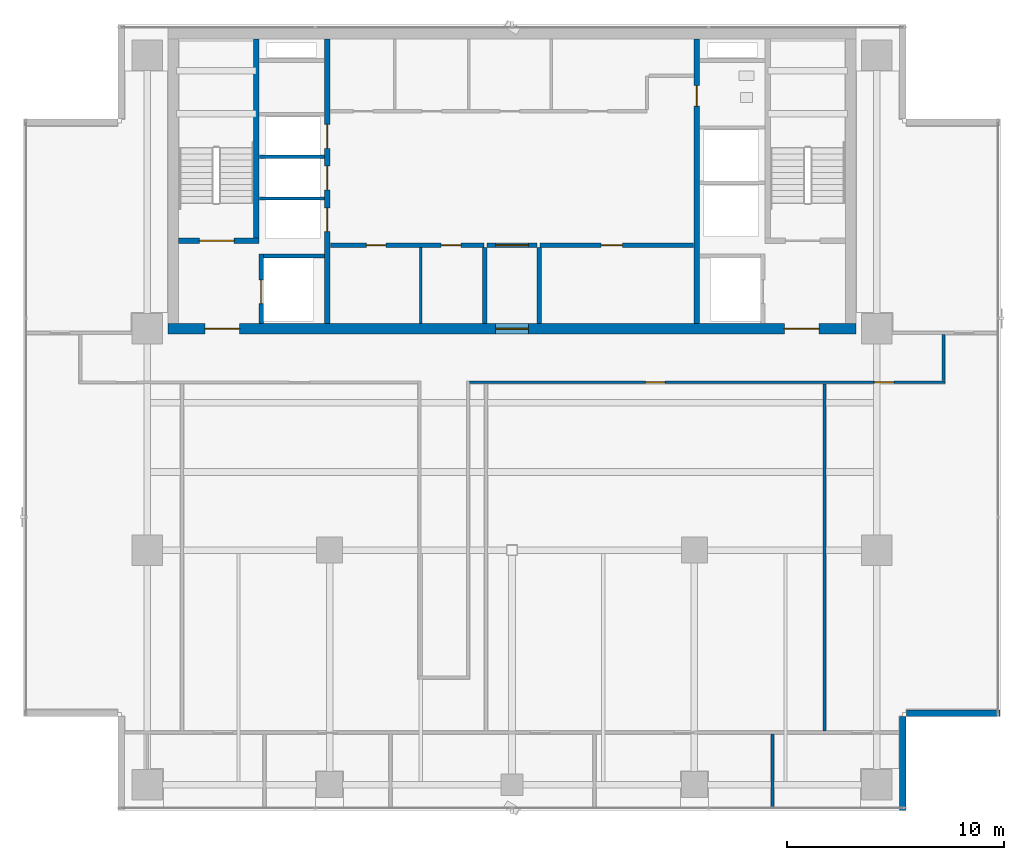
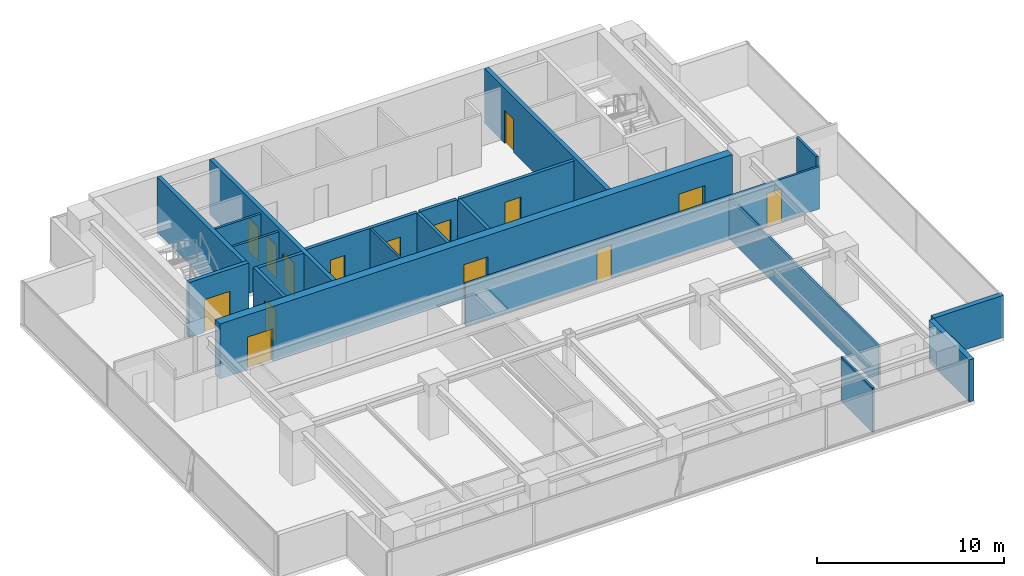
# One storey, part 20 of 25: 21 walls, 15 doors, 15 openings.
"""IFC4 building model written with IfcOpenShell, lengths in metres."""

import ifcopenshell
import ifcopenshell.guid

model = None  # the IFC model being written
_history = None  # IfcOwnerHistory: only IFC2X3 demands one
_inside = {}  # id of a spatial element -> (the spatial element, [elements in it])
_under = {}  # id of a project, library or spatial element -> (it, [spatial elements below it])
_declared = {}  # id of a project -> (the project, [libraries it declares])
_typed = {}  # id of a type object -> (the type object, [elements of that type])
_made_of = {}  # id of a material, layer set ... -> (it, [elements and type objects made of it])


def new_model(schema):
    """Start an empty IFC model of exactly this schema.

    Asked for "IFC4X3", IfcOpenShell would pick the latest addendum, in which some entities
    have other attributes; the version numbers below select the first issue.
    IFC2X3 requires an IfcOwnerHistory on every rooted entity: one is made here for all.
    """
    global model, _history
    if schema == "IFC4X3":
        model = ifcopenshell.file(schema_version=(4, 3, 0, 0))
    else:
        model = ifcopenshell.file(schema=schema)
    _inside.clear()
    _under.clear()
    _declared.clear()
    _typed.clear()
    _made_of.clear()
    _history = None
    if model.schema == "IFC2X3":
        org = make("IfcOrganization", Name="unknown")
        user = make(
            "IfcPersonAndOrganization",
            ThePerson=make("IfcPerson", FamilyName="unknown"),
            TheOrganization=org,
        )
        app = make(
            "IfcApplication",
            ApplicationDeveloper=org,
            Version="unknown",
            ApplicationFullName="unknown",
            ApplicationIdentifier="unknown",
        )
        _history = make(
            "IfcOwnerHistory",
            OwningUser=user,
            OwningApplication=app,
            ChangeAction="ADDED",
            CreationDate=0,
        )
    return model


def make(cls, **values):
    """One entity of the class cls with the attributes given. An attribute that is None is left unset."""
    return model.create_entity(
        cls, **{name: value for name, value in values.items() if value is not None}
    )


def rooted(cls, **values):
    """An entity with a GlobalId (a new one), such as an element, a storey or a relation."""
    return make(cls, GlobalId=ifcopenshell.guid.new(), OwnerHistory=_history, **values)


def si_unit(unit_type, name, prefix=None):
    """IfcSIUnit, for example si_unit("LENGTHUNIT", "METRE", prefix="MILLI")."""
    return make("IfcSIUnit", UnitType=unit_type, Prefix=prefix, Name=name)


def assignment(units):
    """IfcUnitAssignment: the units of a project."""
    return None if units is None else make("IfcUnitAssignment", Units=units)


def point(xyz):
    """IfcCartesianPoint."""
    return None if xyz is None else make("IfcCartesianPoint", Coordinates=xyz)


def direction(xyz):
    """IfcDirection."""
    return None if xyz is None else make("IfcDirection", DirectionRatios=xyz)


def frame(location, z_axis=None, x_axis=None):
    """IfcAxis2Placement3D, a coordinate frame: its origin and axes. An axis left out is left unset."""
    return make(
        "IfcAxis2Placement3D",
        Location=point(location),
        Axis=direction(z_axis),
        RefDirection=direction(x_axis),
    )


def frame_2d(location, x_axis=None):
    """IfcAxis2Placement2D, a coordinate frame in the plane: its origin and x axis."""
    return make(
        "IfcAxis2Placement2D", Location=point(location), RefDirection=direction(x_axis)
    )


def origin():
    """The frame at (0, 0, 0) with its axes left unset."""
    return frame((0.0, 0.0, 0.0))


def place(relative_to, where):
    """IfcLocalPlacement: puts the frame where relative to a parent placement (None: the world)."""
    return make(
        "IfcLocalPlacement", PlacementRelTo=relative_to, RelativePlacement=where
    )


def context(
    kind, dimensions, precision=None, world=None, true_north=None, identifier=None
):
    """IfcGeometricRepresentationContext, for example the 3D "Model" context."""
    return make(
        "IfcGeometricRepresentationContext",
        ContextIdentifier=identifier,
        ContextType=kind,
        CoordinateSpaceDimension=dimensions,
        Precision=precision,
        WorldCoordinateSystem=world,
        TrueNorth=true_north,
    )


def subcontext(parent, identifier, kind, view, scale=None):
    """IfcGeometricRepresentationSubContext, for example "Body" below "Model"."""
    return make(
        "IfcGeometricRepresentationSubContext",
        ContextIdentifier=identifier,
        ContextType=kind,
        ParentContext=parent,
        TargetScale=scale,
        TargetView=view,
    )


def project(units=None, contexts=None):
    """IfcProject with its units and contexts."""
    return rooted(
        "IfcProject",
        Name="project",
        RepresentationContexts=contexts,
        UnitsInContext=assignment(units),
    )


def spatial(cls, under=None, at=None, **own):
    """A site, building, storey or space (cls), placed at a placement, below another one or the project."""
    s = rooted(cls, ObjectPlacement=at, **own)
    if under is not None:
        _under.setdefault(under.id(), (under, []))[1].append(s)
    return s


def profile(cls, at=None, kind="AREA", **sizes):
    """A parametric profile (cls). Its sizes go by their IFC names, for example OverallWidth=200.0."""
    return make(cls, ProfileType=kind, Position=at, **sizes)


def rectangle(**sizes):
    """IfcRectangleProfileDef."""
    return profile("IfcRectangleProfileDef", **sizes)


def extrude(swept, where, along, depth):
    """IfcExtrudedAreaSolid: the profile swept, set in the frame where, extruded along a direction by depth."""
    return make(
        "IfcExtrudedAreaSolid",
        SweptArea=swept,
        Position=where,
        ExtrudedDirection=direction(along),
        Depth=depth,
    )


def shape(context_of_items, identifier, shape_type, items):
    """IfcShapeRepresentation: the items that make up one representation, for example the "Body"."""
    return make(
        "IfcShapeRepresentation",
        ContextOfItems=context_of_items,
        RepresentationIdentifier=identifier,
        RepresentationType=shape_type,
        Items=items,
    )


def source(mapping_origin, context_of_items, identifier, shape_type, items):
    """IfcRepresentationMap: a shape defined once, which mapped items show again and again."""
    return make(
        "IfcRepresentationMap",
        MappingOrigin=mapping_origin,
        MappedRepresentation=shape(context_of_items, identifier, shape_type, items),
    )


def transform(
    local_origin,
    x_axis=None,
    y_axis=None,
    z_axis=None,
    scale=None,
    scale2=None,
    scale3=None,
    uniform=True,
):
    """IfcCartesianTransformationOperator3D, or its non-uniform kind. x_axis, y_axis, z_axis: its Axis1, 2, 3."""
    if uniform:
        return make(
            "IfcCartesianTransformationOperator3D",
            Axis1=direction(x_axis),
            Axis2=direction(y_axis),
            LocalOrigin=point(local_origin),
            Scale=scale,
            Axis3=direction(z_axis),
        )
    return make(
        "IfcCartesianTransformationOperator3DnonUniform",
        Axis1=direction(x_axis),
        Axis2=direction(y_axis),
        LocalOrigin=point(local_origin),
        Scale=scale,
        Axis3=direction(z_axis),
        Scale2=scale2,
        Scale3=scale3,
    )


def mapped(mapping_source, mapping_target):
    """IfcMappedItem: shows the shape of a source again, moved by a transform."""
    return make(
        "IfcMappedItem", MappingSource=mapping_source, MappingTarget=mapping_target
    )


def material(Name=None, Category=None):
    """IfcMaterial."""
    return make("IfcMaterial", Name=Name, Category=Category)


def layer(
    of_material, thickness, ventilated=None, Name=None, Category=None, Priority=None
):
    """IfcMaterialLayer: one layer of a wall or slab, of a material (None: an air gap)."""
    return make(
        "IfcMaterialLayer",
        Material=of_material,
        LayerThickness=thickness,
        IsVentilated=ventilated,
        Name=Name,
        Category=Category,
        Priority=Priority,
    )


def layer_set(layers, Name=None):
    """IfcMaterialLayerSet."""
    return make("IfcMaterialLayerSet", MaterialLayers=layers, LayerSetName=Name)


def made_of(thing, what):
    """Note that an element or type object is made of a material, layer set ...; save() writes the relation."""
    if what is not None:
        _made_of.setdefault(what.id(), (what, []))[1].append(thing)
    return thing


def type_object(cls, material=None, **own):
    """A type object (cls), such as IfcWallType, which elements share."""
    return made_of(rooted(cls, **own), material)


def element(
    cls,
    number,
    at=None,
    inside=None,
    cuts=None,
    type_object=None,
    material=None,
    context=None,
    identifier="Body",
    shape_type=None,
    held_by="IfcProductDefinitionShape",
    body=None,
    shapes=None,
    **own,
):
    """One element of the class cls, such as IfcWall. Its Tag is "e" and its number.

    at: its placement. inside: the storey or other place that contains it. cuts: it is an
    opening in that element (IfcRelVoidsElement). A single representation is given by context,
    identifier, shape_type and body (its items); several are given by shapes. held_by: the class
    of the entity that holds the representations. save() writes the other relations.
    """
    e = rooted(cls, Tag="e%d" % number, ObjectPlacement=at, **own)
    if body is not None:
        shapes = [shape(context, identifier, shape_type, body)]
    if shapes is not None:
        e.Representation = make(held_by, Representations=shapes)
    if inside is not None:
        _inside.setdefault(inside.id(), (inside, []))[1].append(e)
    if cuts is not None:
        rooted(
            "IfcRelVoidsElement", RelatingBuildingElement=cuts, RelatedOpeningElement=e
        )
    if type_object is not None:
        _typed.setdefault(type_object.id(), (type_object, []))[1].append(e)
    return made_of(e, material)


def fill(opening, filler):
    """IfcRelFillsElement: the door or window that sits in an opening."""
    return rooted(
        "IfcRelFillsElement",
        RelatingOpeningElement=opening,
        RelatedBuildingElement=filler,
    )


def aggregate(whole, parts):
    """IfcRelAggregates: a whole, such as a stair, and the parts it consists of."""
    return rooted("IfcRelAggregates", RelatingObject=whole, RelatedObjects=parts)


def save(model, path):
    """Write the relations noted so far, then the file.

    IfcRelAggregates (storeys below a building ...), IfcRelContainedInSpatialStructure (elements
    in a storey), IfcRelDefinesByType, IfcRelAssociatesMaterial and IfcRelDeclares: one each for
    every whole, place, type object, material and project.
    """
    for whole, parts in _under.values():
        aggregate(whole, parts)
    for where, things in _inside.values():
        rooted(
            "IfcRelContainedInSpatialStructure",
            RelatedElements=things,
            RelatingStructure=where,
        )
    for kind, things in _typed.values():
        rooted("IfcRelDefinesByType", RelatedObjects=things, RelatingType=kind)
    for what, things in _made_of.values():
        rooted("IfcRelAssociatesMaterial", RelatedObjects=things, RelatingMaterial=what)
    for by, libraries in _declared.values():
        rooted("IfcRelDeclares", RelatingContext=by, RelatedDefinitions=libraries)
    model.write(path)


model = new_model("IFC4")

# Units and contexts
model_context = context("Model", 3, precision=1e-05, world=origin(), true_north=direction((0.0, 1.0)))
body_context = subcontext(model_context, "Body", "Model", "MODEL_VIEW")
ifc_project = project(units=[si_unit("LENGTHUNIT", "METRE"), si_unit("AREAUNIT", "SQUARE_METRE"), si_unit("VOLUMEUNIT", "CUBIC_METRE"), si_unit("PLANEANGLEUNIT", "RADIAN"), si_unit("MASSUNIT", "GRAM", prefix="KILO")], contexts=[model_context])

# Site, building, storey
site_placement = place(None, origin())
site = spatial("IfcSite", under=ifc_project, at=site_placement, CompositionType="ELEMENT")
building_placement = place(site_placement, origin())
building = spatial("IfcBuilding", under=site, at=building_placement, Name="Sumidabori Civic Tower", CompositionType="ELEMENT")
storey_placement = place(building_placement, frame((0.0, 0.0, 239.60009765625)))
storey = spatial("IfcBuildingStorey", under=building, at=storey_placement, Name="L62", CompositionType="ELEMENT", Elevation=239.60009765625)

# Wall
ifc_material_1 = material(Name="Concrete C50/60", Category="concrete")
ifc_layer_1 = layer(ifc_material_1, 0.199951171875, Name="Concrete C50/60")
ifc_layer_set_1 = layer_set([ifc_layer_1], Name="Concrete C50/60")
wall_type_1 = type_object("IfcWallType", Name="WL-SHAFT-200", PredefinedType="SHEAR", material=ifc_layer_set_1)
shared_shape_1 = source(origin(), body_context, "Body", "SweptSolid", [
    extrude(rectangle(XDim=2.824951171875, YDim=0.199951171875, at=frame_2d((1.41259765625, 0.0))), origin(), (0.0, 0.0, 1.0), 3.599853515625),
])
wall_1_placement = place(storey_placement, frame((-11.449951171875, 13.550048828125, 0.0), z_axis=(0.0, 0.0, 1.0), x_axis=(1.0, 0.0, 0.0)))
element("IfcWall", 1, at=wall_1_placement, inside=storey, type_object=wall_type_1, Name="Core Shear Wall L62 EL1-N", PredefinedType="SHEAR", context=body_context, shape_type="MappedRepresentation", body=[
    mapped(shared_shape_1, transform((0.0, 0.0, 0.0), x_axis=(1.0, 0.0, 0.0), y_axis=(0.0, 1.0, 0.0), z_axis=(0.0, 0.0, 1.0), scale=1.0)),
])

# Wall, openings, doors
ifc_layer_2 = layer(ifc_material_1, 0.5, Name="Concrete C50/60")
ifc_layer_set_2 = layer_set([ifc_layer_2], Name="Concrete C50/60")
wall_type_2 = type_object("IfcWallType", Name="WL-CORE-500", PredefinedType="SHEAR", material=ifc_layer_set_2)
shared_shape_2 = source(origin(), body_context, "Body", "SweptSolid", [
    extrude(rectangle(XDim=31.7001953125, YDim=0.5, at=frame_2d((15.85009765625, 0.0))), origin(), (0.0, 0.0, 1.0), 3.599853515625),
])
wall_2_placement = place(storey_placement, frame((-15.85009765625, 10.199951171875, 0.0), z_axis=(0.0, 0.0, 1.0), x_axis=(1.0, 0.0, 0.0)))
wall_2 = element("IfcWall", 2, at=wall_2_placement, inside=storey, type_object=wall_type_2, Name="Core Shear Wall L62 S", PredefinedType="SHEAR", context=body_context, shape_type="MappedRepresentation", body=[
    mapped(shared_shape_2, transform((0.0, 0.0, 0.0), x_axis=(1.0, 0.0, 0.0), y_axis=(0.0, 1.0, 0.0), z_axis=(0.0, 0.0, 1.0), scale=1.0)),
])
opening_1_placement = place(wall_2_placement, frame((1.699951171875, 0.0, 0.0)))
opening_1 = element("IfcOpeningElement", 3, at=opening_1_placement, cuts=wall_2, Name="Opening DR-FD4", PredefinedType="OPENING", context=body_context, shape_type="SweptSolid", body=[
    extrude(rectangle(XDim=1.60009765625, YDim=2.14990234375, at=frame_2d((0.800048828125, 1.074951171875))), frame((0.0, 0.261962890625, 0.0), z_axis=(0.0, -1.0, 0.0), x_axis=(1.0, 0.0, 0.0)), (0.0, 0.0, 1.0), 0.52392578125),
])
opening_2_placement = place(wall_2_placement, frame((28.39990234375, 0.0, 0.0)))
opening_2 = element("IfcOpeningElement", 4, at=opening_2_placement, cuts=wall_2, Name="Opening DR-FD4", PredefinedType="OPENING", context=body_context, shape_type="SweptSolid", body=[
    extrude(rectangle(XDim=1.60009765625, YDim=2.14990234375, at=frame_2d((0.800048828125, 1.074951171875))), frame((0.0, 0.261962890625, 0.0), z_axis=(0.0, -1.0, 0.0), x_axis=(1.0, 0.0, 0.0)), (0.0, 0.0, 1.0), 0.52392578125),
])
opening_3_placement = place(wall_2_placement, frame((15.10009765625, 0.0, 0.0)))
opening_3 = element("IfcOpeningElement", 5, at=opening_3_placement, cuts=wall_2, Name="Opening DR-FD3", PredefinedType="OPENING", context=body_context, shape_type="SweptSolid", body=[
    extrude(rectangle(XDim=1.5, YDim=2.199951171875, at=frame_2d((0.75, 1.10009765625))), frame((0.0, 0.261962890625, 0.0), z_axis=(0.0, -1.0, 0.0), x_axis=(1.0, 0.0, 0.0)), (0.0, 0.0, 1.0), 0.52392578125),
])
ifc_material_2 = material(Name="Steel SN490", Category="steel")
door_type_1 = type_object("IfcDoorType", Name="DR-FD4", OperationType="DOUBLE_DOOR_SINGLE_SWING", PredefinedType="DOOR", material=ifc_material_2)
shared_shape_3 = source(origin(), body_context, "Body", "SweptSolid", [
    extrude(rectangle(XDim=1.60009765625, YDim=2.14990234375, at=frame_2d((0.800048828125, 1.074951171875))), frame((0.0, 0.02490234375, 0.0), z_axis=(0.0, -1.0, 0.0), x_axis=(1.0, 0.0, 0.0)), (0.0, 0.0, 1.0), 0.050048828125),
])
door_1_placement = place(opening_1_placement, origin())
door_1 = element("IfcDoor", 6, at=door_1_placement, inside=storey, type_object=door_type_1, Name="Door DR:L62:ELOB-W", OperationType="DOUBLE_DOOR_SINGLE_SWING", OverallHeight=2.14990234375, OverallWidth=1.60009765625, PredefinedType="DOOR", context=body_context, shape_type="MappedRepresentation", body=[
    mapped(shared_shape_3, transform((0.0, 0.0, 0.0), x_axis=(1.0, 0.0, 0.0), y_axis=(0.0, 1.0, 0.0), z_axis=(0.0, 0.0, 1.0), scale=1.0)),
])
fill(opening_1, door_1)
door_2_placement = place(opening_2_placement, origin())
door_2 = element("IfcDoor", 7, at=door_2_placement, inside=storey, type_object=door_type_1, Name="Door DR:L62:ELOB-E", OperationType="DOUBLE_DOOR_SINGLE_SWING", OverallHeight=2.14990234375, OverallWidth=1.60009765625, PredefinedType="DOOR", context=body_context, shape_type="MappedRepresentation", body=[
    mapped(shared_shape_3, transform((0.0, 0.0, 0.0), x_axis=(1.0, 0.0, 0.0), y_axis=(0.0, 1.0, 0.0), z_axis=(0.0, 0.0, 1.0), scale=1.0)),
])
fill(opening_2, door_2)
door_type_2 = type_object("IfcDoorType", Name="DR-FD-DBL", OperationType="DOUBLE_DOOR_SINGLE_SWING", PredefinedType="DOOR", material=ifc_material_2)
shared_shape_4 = source(origin(), body_context, "Body", "SweptSolid", [
    extrude(rectangle(XDim=1.5, YDim=2.199951171875, at=frame_2d((0.75, 1.10009765625))), frame((0.0, 0.02490234375, 0.0), z_axis=(0.0, -1.0, 0.0), x_axis=(1.0, 0.0, 0.0)), (0.0, 0.0, 1.0), 0.050048828125),
])
door_3_placement = place(opening_3_placement, origin())
door_3 = element("IfcDoor", 8, at=door_3_placement, inside=storey, type_object=door_type_2, Name="Door DR:L62:THROAT-OUT", OperationType="DOUBLE_DOOR_SINGLE_SWING", OverallHeight=2.199951171875, OverallWidth=1.5, PredefinedType="DOOR", context=body_context, shape_type="MappedRepresentation", body=[
    mapped(shared_shape_4, transform((0.0, 0.0, 0.0), x_axis=(1.0, 0.0, 0.0), y_axis=(0.0, 1.0, 0.0), z_axis=(0.0, 0.0, 1.0), scale=1.0)),
])
fill(opening_3, door_3)

ifc_layer_3 = layer(ifc_material_1, 0.25, Name="Concrete C50/60")
ifc_layer_set_3 = layer_set([ifc_layer_3], Name="Concrete C50/60")
wall_type_3 = type_object("IfcWallType", Name="WL-SHAFT-250", PredefinedType="SHEAR", material=ifc_layer_set_3)
shared_shape_5 = source(origin(), body_context, "Body", "SweptSolid", [
    extrude(rectangle(XDim=13.10009765625, YDim=0.25, at=frame_2d((6.550048828125, 0.0))), origin(), (0.0, 0.0, 1.0), 3.599853515625),
])
wall_3_placement = place(storey_placement, frame((-8.5, 10.449951171875, 0.0), z_axis=(0.0, 0.0, 1.0), x_axis=(0.0, 1.0, 0.0)))
wall_3 = element("IfcWall", 9, at=wall_3_placement, inside=storey, type_object=wall_type_3, Name="Core Shear Wall L62 WEB-W", PredefinedType="SHEAR", context=body_context, shape_type="MappedRepresentation", body=[
    mapped(shared_shape_5, transform((0.0, 0.0, 0.0), x_axis=(1.0, 0.0, 0.0), y_axis=(0.0, 1.0, 0.0), z_axis=(0.0, 0.0, 1.0), scale=1.0)),
])
opening_4_placement = place(wall_3_placement, frame((4.219970703125, 0.0, 0.0)))
opening_4 = element("IfcOpeningElement", 10, at=opening_4_placement, cuts=wall_3, Name="Opening LD-1", PredefinedType="OPENING", context=body_context, shape_type="SweptSolid", body=[
    extrude(rectangle(XDim=1.10009765625, YDim=2.14990234375, at=frame_2d((0.550048828125, 1.074951171875))), frame((0.0, 0.136962890625, 0.0), z_axis=(0.0, -1.0, 0.0), x_axis=(1.0, 0.0, 0.0)), (0.0, 0.0, 1.0), 0.27392578125),
])
opening_5_placement = place(wall_3_placement, frame((6.139892578125, 0.0, 0.0)))
opening_5 = element("IfcOpeningElement", 11, at=opening_5_placement, cuts=wall_3, Name="Opening LD-1", PredefinedType="OPENING", context=body_context, shape_type="SweptSolid", body=[
    extrude(rectangle(XDim=1.10009765625, YDim=2.14990234375, at=frame_2d((0.550048828125, 1.074951171875))), frame((0.0, 0.136962890625, 0.0), z_axis=(0.0, -1.0, 0.0), x_axis=(1.0, 0.0, 0.0)), (0.0, 0.0, 1.0), 0.27392578125),
])
opening_6_placement = place(wall_3_placement, frame((8.06005859375, 0.0, 0.0)))
opening_6 = element("IfcOpeningElement", 12, at=opening_6_placement, cuts=wall_3, Name="Opening LD-1", PredefinedType="OPENING", context=body_context, shape_type="SweptSolid", body=[
    extrude(rectangle(XDim=1.10009765625, YDim=2.14990234375, at=frame_2d((0.550048828125, 1.074951171875))), frame((0.0, 0.136962890625, 0.0), z_axis=(0.0, -1.0, 0.0), x_axis=(1.0, 0.0, 0.0)), (0.0, 0.0, 1.0), 0.27392578125),
])
ifc_material_3 = material(Name="Stainless Steel Hairline Finish", Category="steel")
door_type_3 = type_object("IfcDoorType", Name="DR-LD1", OperationType="DOUBLE_DOOR_SLIDING", PredefinedType="DOOR", material=ifc_material_3)
shared_shape_6 = source(origin(), body_context, "Body", "SweptSolid", [
    extrude(rectangle(XDim=1.10009765625, YDim=2.14990234375, at=frame_2d((0.550048828125, 1.074951171875))), frame((0.0, 0.02490234375, 0.0), z_axis=(0.0, -1.0, 0.0), x_axis=(1.0, 0.0, 0.0)), (0.0, 0.0, 1.0), 0.050048828125),
])
door_4_placement = place(opening_4_placement, origin())
door_4 = element("IfcDoor", 13, at=door_4_placement, inside=storey, type_object=door_type_3, Name="Door DR:L62:LD-PLH1", OperationType="DOUBLE_DOOR_SLIDING", OverallHeight=2.14990234375, OverallWidth=1.10009765625, PredefinedType="DOOR", context=body_context, shape_type="MappedRepresentation", body=[
    mapped(shared_shape_6, transform((0.0, 0.0, 0.0), x_axis=(1.0, 0.0, 0.0), y_axis=(0.0, 1.0, 0.0), z_axis=(0.0, 0.0, 1.0), scale=1.0)),
])
fill(opening_4, door_4)
door_5_placement = place(opening_5_placement, origin())
door_5 = element("IfcDoor", 14, at=door_5_placement, inside=storey, type_object=door_type_3, Name="Door DR:L62:LD-PLH2", OperationType="DOUBLE_DOOR_SLIDING", OverallHeight=2.14990234375, OverallWidth=1.10009765625, PredefinedType="DOOR", context=body_context, shape_type="MappedRepresentation", body=[
    mapped(shared_shape_6, transform((0.0, 0.0, 0.0), x_axis=(1.0, 0.0, 0.0), y_axis=(0.0, 1.0, 0.0), z_axis=(0.0, 0.0, 1.0), scale=1.0)),
])
fill(opening_5, door_5)
door_6_placement = place(opening_6_placement, origin())
door_6 = element("IfcDoor", 15, at=door_6_placement, inside=storey, type_object=door_type_3, Name="Door DR:L62:LD-PLH3", OperationType="DOUBLE_DOOR_SLIDING", OverallHeight=2.14990234375, OverallWidth=1.10009765625, PredefinedType="DOOR", context=body_context, shape_type="MappedRepresentation", body=[
    mapped(shared_shape_6, transform((0.0, 0.0, 0.0), x_axis=(1.0, 0.0, 0.0), y_axis=(0.0, 1.0, 0.0), z_axis=(0.0, 0.0, 1.0), scale=1.0)),
])
fill(opening_6, door_6)

# Wall, opening, door
wall_4_placement = place(storey_placement, frame((8.5, 10.449951171875, 0.0), z_axis=(0.0, 0.0, 1.0), x_axis=(0.0, 1.0, 0.0)))
wall_4 = element("IfcWall", 16, at=wall_4_placement, inside=storey, type_object=wall_type_3, Name="Core Shear Wall L62 WEB-E", PredefinedType="SHEAR", context=body_context, shape_type="MappedRepresentation", body=[
    mapped(shared_shape_5, transform((0.0, 0.0, 0.0), x_axis=(1.0, 0.0, 0.0), y_axis=(0.0, 1.0, 0.0), z_axis=(0.0, 0.0, 1.0), scale=1.0)),
])
opening_7_placement = place(wall_4_placement, frame((10.0, 0.0, 0.0)))
opening_7 = element("IfcOpeningElement", 17, at=opening_7_placement, cuts=wall_4, Name="Opening DR-2", PredefinedType="OPENING", context=body_context, shape_type="SweptSolid", body=[
    extrude(rectangle(XDim=0.949951171875, YDim=2.14990234375, at=frame_2d((0.47509765625, 1.074951171875))), frame((0.0, 0.136962890625, 0.0), z_axis=(0.0, -1.0, 0.0), x_axis=(1.0, 0.0, 0.0)), (0.0, 0.0, 1.0), 0.27392578125),
])
ifc_material_4 = material(Name="Japanese Hinoki Timber", Category="wood")
door_type_4 = type_object("IfcDoorType", Name="DR-INT-950", OperationType="NOTDEFINED", PredefinedType="DOOR", material=ifc_material_4)
shared_shape_7 = source(origin(), body_context, "Body", "SweptSolid", [
    extrude(rectangle(XDim=0.949951171875, YDim=2.14990234375, at=frame_2d((0.47509765625, 1.074951171875))), frame((0.0, 0.02490234375, 0.0), z_axis=(0.0, -1.0, 0.0), x_axis=(1.0, 0.0, 0.0)), (0.0, 0.0, 1.0), 0.050048828125),
])
door_7_placement = place(opening_7_placement, origin())
door_7 = element("IfcDoor", 18, at=door_7_placement, inside=storey, type_object=door_type_4, Name="Door DR:L62:WC-ACC", OperationType="SINGLE_SWING_RIGHT", OverallHeight=2.14990234375, OverallWidth=0.949951171875, PredefinedType="DOOR", context=body_context, shape_type="MappedRepresentation", body=[
    mapped(shared_shape_7, transform((0.0, 0.0, 0.0), x_axis=(1.0, 0.0, 0.0), y_axis=(0.0, 1.0, 0.0), z_axis=(0.0, 0.0, 1.0), scale=1.0)),
])
fill(opening_7, door_7)

shared_shape_8 = source(origin(), body_context, "Body", "SweptSolid", [
    extrude(rectangle(XDim=3.705078125, YDim=0.25, at=frame_2d((1.8525390625, 0.0))), origin(), (0.0, 0.0, 1.0), 3.599853515625),
])
wall_5_placement = place(storey_placement, frame((-15.35009765625, 14.25, 0.0), z_axis=(0.0, 0.0, 1.0), x_axis=(1.0, 0.0, 0.0)))
wall_5 = element("IfcWall", 19, at=wall_5_placement, inside=storey, type_object=wall_type_3, Name="Core Shear Wall L62 ST1-S", PredefinedType="SHEAR", context=body_context, shape_type="MappedRepresentation", body=[
    mapped(shared_shape_8, transform((0.0, 0.0, 0.0), x_axis=(1.0, 0.0, 0.0), y_axis=(0.0, 1.0, 0.0), z_axis=(0.0, 0.0, 1.0), scale=1.0)),
])
opening_8_placement = place(wall_5_placement, frame((0.949951171875, 0.0, 0.0)))
opening_8 = element("IfcOpeningElement", 20, at=opening_8_placement, cuts=wall_5, Name="Opening DR-FD4", PredefinedType="OPENING", context=body_context, shape_type="SweptSolid", body=[
    extrude(rectangle(XDim=1.60009765625, YDim=2.14990234375, at=frame_2d((0.800048828125, 1.074951171875))), frame((0.0, 0.136962890625, 0.0), z_axis=(0.0, -1.0, 0.0), x_axis=(1.0, 0.0, 0.0)), (0.0, 0.0, 1.0), 0.27392578125),
])
door_8_placement = place(opening_8_placement, origin())
door_8 = element("IfcDoor", 21, at=door_8_placement, inside=storey, type_object=door_type_1, Name="Door DR:L62:ST1", OperationType="DOUBLE_DOOR_SINGLE_SWING", OverallHeight=2.14990234375, OverallWidth=1.60009765625, PredefinedType="DOOR", context=body_context, shape_type="MappedRepresentation", body=[
    mapped(shared_shape_3, transform((0.0, 0.0, 0.0), x_axis=(1.0, 0.0, 0.0), y_axis=(0.0, 1.0, 0.0), z_axis=(0.0, 0.0, 1.0), scale=1.0)),
])
fill(opening_8, door_8)

# Wall
shared_shape_9 = source(origin(), body_context, "Body", "SweptSolid", [
    extrude(rectangle(XDim=9.175048828125, YDim=0.25, at=frame_2d((4.58740234375, 0.0))), origin(), (0.0, 0.0, 1.0), 3.599853515625),
])
wall_6_placement = place(storey_placement, frame((-11.77001953125, 14.375, 0.0), z_axis=(0.0, 0.0, 1.0), x_axis=(0.0, 1.0, 0.0)))
element("IfcWall", 22, at=wall_6_placement, inside=storey, type_object=wall_type_3, Name="Core Shear Wall L62 ST1-E", PredefinedType="SHEAR", context=body_context, shape_type="MappedRepresentation", body=[
    mapped(shared_shape_9, transform((0.0, 0.0, 0.0), x_axis=(1.0, 0.0, 0.0), y_axis=(0.0, 1.0, 0.0), z_axis=(0.0, 0.0, 1.0), scale=1.0)),
])

# Wall, opening, door
shared_shape_10 = source(origin(), body_context, "Body", "SweptSolid", [
    extrude(rectangle(XDim=3.199951171875, YDim=0.199951171875, at=frame_2d((1.60009765625, 0.0))), origin(), (0.0, 0.0, 1.0), 3.599853515625),
])
wall_7_placement = place(storey_placement, frame((-11.550048828125, 10.449951171875, 0.0), z_axis=(0.0, 0.0, 1.0), x_axis=(0.0, 1.0, 0.0)))
wall_7 = element("IfcWall", 23, at=wall_7_placement, inside=storey, type_object=wall_type_1, Name="Core Shear Wall L62 EL1-W", PredefinedType="SHEAR", context=body_context, shape_type="MappedRepresentation", body=[
    mapped(shared_shape_10, transform((0.0, 0.0, 0.0), x_axis=(1.0, 0.0, 0.0), y_axis=(0.0, 1.0, 0.0), z_axis=(0.0, 0.0, 1.0), scale=1.0)),
])
opening_9_placement = place(wall_7_placement, frame((0.89990234375, 0.0, 0.0)))
opening_9 = element("IfcOpeningElement", 24, at=opening_9_placement, cuts=wall_7, Name="Opening LD-2", PredefinedType="OPENING", context=body_context, shape_type="SweptSolid", body=[
    extrude(rectangle(XDim=1.10009765625, YDim=2.14990234375, at=frame_2d((0.550048828125, 1.074951171875))), frame((0.0, 0.11181640625, 0.0), z_axis=(0.0, -1.0, 0.0), x_axis=(1.0, 0.0, 0.0)), (0.0, 0.0, 1.0), 0.223876953125),
])
door_type_5 = type_object("IfcDoorType", Name="DR-LD2", OperationType="DOUBLE_DOOR_SLIDING", PredefinedType="DOOR", material=ifc_material_3)
door_9_placement = place(opening_9_placement, origin())
door_9 = element("IfcDoor", 25, at=door_9_placement, inside=storey, type_object=door_type_5, Name="Door DR:L62:LD-EL1", OperationType="DOUBLE_DOOR_SLIDING", OverallHeight=2.14990234375, OverallWidth=1.10009765625, PredefinedType="DOOR", context=body_context, shape_type="MappedRepresentation", body=[
    mapped(shared_shape_6, transform((0.0, 0.0, 0.0), x_axis=(1.0, 0.0, 0.0), y_axis=(0.0, 1.0, 0.0), z_axis=(0.0, 0.0, 1.0), scale=1.0)),
])
fill(opening_9, door_9)

# Walls
ifc_material_5 = material(Name="Precast concrete C40/50", Category="concrete")
ifc_layer_4 = layer(ifc_material_5, 0.300048828125, Name="Precast concrete C40/50")
ifc_layer_set_4 = layer_set([ifc_layer_4], Name="Precast concrete C40/50")
wall_type_4 = type_object("IfcWallType", Name="WL-EXT-POD300", PredefinedType="STANDARD", material=ifc_layer_set_4)
shared_shape_11 = source(origin(), body_context, "Body", "SweptSolid", [
    extrude(rectangle(XDim=4.31005859375, YDim=0.300048828125, at=frame_2d((2.155029296875, 0.0))), origin(), (0.0, 0.0, 1.0), 2.75),
])
for number, where, z_axis, x_axis, name in (
    (26, (18.0, -11.97998046875, 0.0), (0.0, 0.0, 1.0), (0.0, 1.0, 0.0), "Notched Corner Spandrel Band L62-02"),
    (27, (18.169921875, -7.5, 0.0), (0.0, 0.0, 1.0), (1.0, 0.0, 0.0), "Notched Corner Spandrel Band L62-03"),
):
    element("IfcWall", number, at=place(storey_placement, frame(where, z_axis=z_axis, x_axis=x_axis)), inside=storey, type_object=wall_type_4, Name=name, PredefinedType="STANDARD", context=body_context, shape_type="MappedRepresentation", body=[
        mapped(shared_shape_11, transform((0.0, 0.0, 0.0), x_axis=(1.0, 0.0, 0.0), y_axis=(0.0, 1.0, 0.0), z_axis=(0.0, 0.0, 1.0), scale=1.0)),
    ])
ifc_material_6 = material(Name="Gypsum Plasterboard Acoustic Partition")
ifc_layer_5 = layer(ifc_material_6, 0.14990234375, Name="Gypsum Plasterboard Acoustic Partition")
ifc_layer_set_5 = layer_set([ifc_layer_5], Name="Gypsum Plasterboard Acoustic Partition")
wall_type_5 = type_object("IfcWallType", Name="WL-PART-150", PredefinedType="PARTITIONING", material=ifc_layer_set_5)
shared_shape_12 = source(origin(), body_context, "Body", "SweptSolid", [
    extrude(rectangle(XDim=3.010009765625, YDim=0.14990234375, at=frame_2d((1.5048828125, 0.0))), origin(), (0.0, 0.0, 1.0), 3.369873046875),
])
for number, where, z_axis, x_axis, name in (
    (28, (-11.639892578125, 16.199951171875, 0.0), (0.0, 0.0, 1.0), (1.0, 0.0, 0.0), "Interior Partition WL:L62:DIV-PLH1"),
    (29, (-11.639892578125, 18.1201171875, 0.0), (0.0, 0.0, 1.0), (1.0, 0.0, 0.0), "Interior Partition WL:L62:DIV-PLH2"),
):
    element("IfcWall", number, at=place(storey_placement, frame(where, z_axis=z_axis, x_axis=x_axis)), inside=storey, type_object=wall_type_5, Name=name, PredefinedType="PARTITIONING", context=body_context, shape_type="MappedRepresentation", body=[
        mapped(shared_shape_12, transform((0.0, 0.0, 0.0), x_axis=(1.0, 0.0, 0.0), y_axis=(0.0, 1.0, 0.0), z_axis=(0.0, 0.0, 1.0), scale=1.0)),
    ])

# Wall, openings, doors
ifc_material_7 = material(Name="Gypsum Plasterboard Fire Partition")
ifc_layer_6 = layer(ifc_material_7, 0.199951171875, Name="Gypsum Plasterboard Fire Partition")
ifc_layer_set_6 = layer_set([ifc_layer_6], Name="Gypsum Plasterboard Fire Partition")
wall_type_6 = type_object("IfcWallType", Name="WL-PART-FIRE", PredefinedType="PARTITIONING", material=ifc_layer_set_6)
shared_shape_13 = source(origin(), body_context, "Body", "SweptSolid", [
    extrude(rectangle(XDim=7.070068359375, YDim=0.199951171875, at=frame_2d((3.53515625, 0.0))), origin(), (0.0, 0.0, 1.0), 3.369873046875),
])
wall_8_placement = place(storey_placement, frame((-8.3701171875, 14.050048828125, 0.0), z_axis=(0.0, 0.0, 1.0), x_axis=(1.0, 0.0, 0.0)))
wall_8 = element("IfcWall", 30, at=wall_8_placement, inside=storey, type_object=wall_type_6, Name="Interior Partition WL:L62:CBAND-SW", PredefinedType="PARTITIONING", context=body_context, shape_type="MappedRepresentation", body=[
    mapped(shared_shape_13, transform((0.0, 0.0, 0.0), x_axis=(1.0, 0.0, 0.0), y_axis=(0.0, 1.0, 0.0), z_axis=(0.0, 0.0, 1.0), scale=1.0)),
])
opening_10_placement = place(wall_8_placement, frame((1.659912109375, 0.0, 0.0)))
opening_10 = element("IfcOpeningElement", 31, at=opening_10_placement, cuts=wall_8, Name="Opening DR-1", PredefinedType="OPENING", context=body_context, shape_type="SweptSolid", body=[
    extrude(rectangle(XDim=0.89990234375, YDim=2.14990234375, at=frame_2d((0.449951171875, 1.074951171875))), frame((0.0, 0.11181640625, 0.0), z_axis=(0.0, -1.0, 0.0), x_axis=(1.0, 0.0, 0.0)), (0.0, 0.0, 1.0), 0.223876953125),
])
opening_11_placement = place(wall_8_placement, frame((5.110107421875, 0.0, 0.0)))
opening_11 = element("IfcOpeningElement", 32, at=opening_11_placement, cuts=wall_8, Name="Opening DR-1", PredefinedType="OPENING", context=body_context, shape_type="SweptSolid", body=[
    extrude(rectangle(XDim=0.89990234375, YDim=2.14990234375, at=frame_2d((0.449951171875, 1.074951171875))), frame((0.0, 0.11181640625, 0.0), z_axis=(0.0, -1.0, 0.0), x_axis=(1.0, 0.0, 0.0)), (0.0, 0.0, 1.0), 0.223876953125),
])
door_type_6 = type_object("IfcDoorType", Name="DR-INT-900", OperationType="NOTDEFINED", PredefinedType="DOOR", material=ifc_material_4)
shared_shape_14 = source(origin(), body_context, "Body", "SweptSolid", [
    extrude(rectangle(XDim=0.89990234375, YDim=2.14990234375, at=frame_2d((0.449951171875, 1.074951171875))), frame((0.0, 0.02490234375, 0.0), z_axis=(0.0, -1.0, 0.0), x_axis=(1.0, 0.0, 0.0)), (0.0, 0.0, 1.0), 0.050048828125),
])
door_10_placement = place(opening_10_placement, origin())
door_10 = element("IfcDoor", 33, at=door_10_placement, inside=storey, type_object=door_type_6, Name="Door DR:L62:REC-B1A", OperationType="SINGLE_SWING_LEFT", OverallHeight=2.14990234375, OverallWidth=0.89990234375, PredefinedType="DOOR", context=body_context, shape_type="MappedRepresentation", body=[
    mapped(shared_shape_14, transform((0.0, 0.0, 0.0), x_axis=(1.0, 0.0, 0.0), y_axis=(0.0, 1.0, 0.0), z_axis=(0.0, 0.0, 1.0), scale=1.0)),
])
fill(opening_10, door_10)
door_11_placement = place(opening_11_placement, origin())
door_11 = element("IfcDoor", 34, at=door_11_placement, inside=storey, type_object=door_type_6, Name="Door DR:L62:REC-B1B", OperationType="SINGLE_SWING_RIGHT", OverallHeight=2.14990234375, OverallWidth=0.89990234375, PredefinedType="DOOR", context=body_context, shape_type="MappedRepresentation", body=[
    mapped(shared_shape_14, transform((0.0, 0.0, 0.0), x_axis=(1.0, 0.0, 0.0), y_axis=(0.0, 1.0, 0.0), z_axis=(0.0, 0.0, 1.0), scale=1.0)),
])
fill(opening_11, door_11)

# Wall, opening, door
wall_9_placement = place(storey_placement, frame((1.300048828125, 14.050048828125, 0.0), z_axis=(0.0, 0.0, 1.0), x_axis=(1.0, 0.0, 0.0)))
wall_9 = element("IfcWall", 35, at=wall_9_placement, inside=storey, type_object=wall_type_6, Name="Interior Partition WL:L62:CBAND-SE", PredefinedType="PARTITIONING", context=body_context, shape_type="MappedRepresentation", body=[
    mapped(shared_shape_13, transform((0.0, 0.0, 0.0), x_axis=(1.0, 0.0, 0.0), y_axis=(0.0, 1.0, 0.0), z_axis=(0.0, 0.0, 1.0), scale=1.0)),
])
opening_12_placement = place(wall_9_placement, frame((2.800048828125, 0.0, 0.0)))
opening_12 = element("IfcOpeningElement", 36, at=opening_12_placement, cuts=wall_9, Name="Opening DR-3", PredefinedType="OPENING", context=body_context, shape_type="SweptSolid", body=[
    extrude(rectangle(XDim=0.97998046875, YDim=2.14990234375, at=frame_2d((0.489990234375, 1.074951171875))), frame((0.0, 0.11181640625, 0.0), z_axis=(0.0, -1.0, 0.0), x_axis=(1.0, 0.0, 0.0)), (0.0, 0.0, 1.0), 0.223876953125),
])
door_type_7 = type_object("IfcDoorType", Name="DR-INT-980", OperationType="NOTDEFINED", PredefinedType="DOOR", material=ifc_material_4)
shared_shape_15 = source(origin(), body_context, "Body", "SweptSolid", [
    extrude(rectangle(XDim=0.97998046875, YDim=2.14990234375, at=frame_2d((0.489990234375, 1.074951171875))), frame((0.0, 0.02490234375, 0.0), z_axis=(0.0, -1.0, 0.0), x_axis=(1.0, 0.0, 0.0)), (0.0, 0.0, 1.0), 0.050048828125),
])
door_12_placement = place(opening_12_placement, origin())
door_12 = element("IfcDoor", 37, at=door_12_placement, inside=storey, type_object=door_type_7, Name="Door DR:L62:REC-B2", OperationType="SINGLE_SWING_RIGHT", OverallHeight=2.14990234375, OverallWidth=0.97998046875, PredefinedType="DOOR", context=body_context, shape_type="MappedRepresentation", body=[
    mapped(shared_shape_15, transform((0.0, 0.0, 0.0), x_axis=(1.0, 0.0, 0.0), y_axis=(0.0, 1.0, 0.0), z_axis=(0.0, 0.0, 1.0), scale=1.0)),
])
fill(opening_12, door_12)

# Walls
shared_shape_16 = source(origin(), body_context, "Body", "SweptSolid", [
    extrude(rectangle(XDim=3.489990234375, YDim=0.199951171875, at=frame_2d((1.7451171875, 0.0))), origin(), (0.0, 0.0, 1.0), 3.369873046875),
])
for number, where, z_axis, x_axis, name in (
    (38, (-1.25, 10.449951171875, 0.0), (0.0, 0.0, 1.0), (0.0, 1.0, 0.0), "Interior Partition WL:L62:THROAT-W"),
    (39, (1.25, 10.449951171875, 0.0), (0.0, 0.0, 1.0), (0.0, 1.0, 0.0), "Interior Partition WL:L62:THROAT-E"),
):
    element("IfcWall", number, at=place(storey_placement, frame(where, z_axis=z_axis, x_axis=x_axis)), inside=storey, type_object=wall_type_6, Name=name, PredefinedType="PARTITIONING", context=body_context, shape_type="MappedRepresentation", body=[
        mapped(shared_shape_16, transform((0.0, 0.0, 0.0), x_axis=(1.0, 0.0, 0.0), y_axis=(0.0, 1.0, 0.0), z_axis=(0.0, 0.0, 1.0), scale=1.0)),
    ])

# Wall, opening, door
shared_shape_17 = source(origin(), body_context, "Body", "SweptSolid", [
    extrude(rectangle(XDim=2.2998046875, YDim=0.199951171875, at=frame_2d((1.14990234375, 0.0))), origin(), (0.0, 0.0, 1.0), 3.369873046875),
])
wall_10_placement = place(storey_placement, frame((-1.14990234375, 14.050048828125, 0.0), z_axis=(0.0, 0.0, 1.0), x_axis=(1.0, 0.0, 0.0)))
wall_10 = element("IfcWall", 40, at=wall_10_placement, inside=storey, type_object=wall_type_6, Name="Interior Partition WL:L62:THROAT-N", PredefinedType="PARTITIONING", context=body_context, shape_type="MappedRepresentation", body=[
    mapped(shared_shape_17, transform((0.0, 0.0, 0.0), x_axis=(1.0, 0.0, 0.0), y_axis=(0.0, 1.0, 0.0), z_axis=(0.0, 0.0, 1.0), scale=1.0)),
])
opening_13_placement = place(wall_10_placement, frame((0.39990234375, 0.0, 0.0)))
opening_13 = element("IfcOpeningElement", 41, at=opening_13_placement, cuts=wall_10, Name="Opening DR-FD3", PredefinedType="OPENING", context=body_context, shape_type="SweptSolid", body=[
    extrude(rectangle(XDim=1.5, YDim=2.199951171875, at=frame_2d((0.75, 1.10009765625))), frame((0.0, 0.11181640625, 0.0), z_axis=(0.0, -1.0, 0.0), x_axis=(1.0, 0.0, 0.0)), (0.0, 0.0, 1.0), 0.223876953125),
])
door_13_placement = place(opening_13_placement, origin())
door_13 = element("IfcDoor", 42, at=door_13_placement, inside=storey, type_object=door_type_2, Name="Door DR:L62:THROAT-IN", OperationType="DOUBLE_DOOR_SINGLE_SWING", OverallHeight=2.199951171875, OverallWidth=1.5, PredefinedType="DOOR", context=body_context, shape_type="MappedRepresentation", body=[
    mapped(shared_shape_4, transform((0.0, 0.0, 0.0), x_axis=(1.0, 0.0, 0.0), y_axis=(0.0, 1.0, 0.0), z_axis=(0.0, 0.0, 1.0), scale=1.0)),
])
fill(opening_13, door_13)

# Wall, openings, doors
ifc_layer_7 = layer(ifc_material_6, 0.135009765625, Name="Gypsum Plasterboard Acoustic Partition")
ifc_layer_set_7 = layer_set([ifc_layer_7], Name="Gypsum Plasterboard Acoustic Partition")
wall_type_7 = type_object("IfcWallType", Name="WL-PART-135", PredefinedType="PARTITIONING", material=ifc_layer_set_7)
shared_shape_18 = source(origin(), body_context, "Body", "SweptSolid", [
    extrude(rectangle(XDim=21.900146484375, YDim=0.135009765625, at=frame_2d((10.9501953125, 0.0))), origin(), (0.0, 0.0, 1.0), 2.7548828125),
])
wall_11_placement = place(storey_placement, frame((-1.965087890625, 7.732421875, 0.0), z_axis=(0.0, 0.0, 1.0), x_axis=(1.0, 0.0, 0.0)))
wall_11 = element("IfcWall", 43, at=wall_11_placement, inside=storey, type_object=wall_type_7, Name="Interior Partition WL:L62:CORR-SE", PredefinedType="PARTITIONING", context=body_context, shape_type="MappedRepresentation", body=[
    mapped(shared_shape_18, transform((0.0, 0.0, 0.0), x_axis=(1.0, 0.0, 0.0), y_axis=(0.0, 1.0, 0.0), z_axis=(0.0, 0.0, 1.0), scale=1.0)),
])
opening_14_placement = place(wall_11_placement, frame((18.65625, 0.0, 0.0)))
opening_14 = element("IfcOpeningElement", 44, at=opening_14_placement, cuts=wall_11, Name="Opening DR-1", PredefinedType="OPENING", context=body_context, shape_type="SweptSolid", body=[
    extrude(rectangle(XDim=0.89990234375, YDim=2.14990234375, at=frame_2d((0.449951171875, 1.074951171875))), frame((0.0, 0.07958984375, 0.0), z_axis=(0.0, -1.0, 0.0), x_axis=(1.0, 0.0, 0.0)), (0.0, 0.0, 1.0), 0.158935546875),
])
opening_15_placement = place(wall_11_placement, frame((8.114990234375, 0.0, 0.0)))
opening_15 = element("IfcOpeningElement", 45, at=opening_15_placement, cuts=wall_11, Name="Opening DR-1", PredefinedType="OPENING", context=body_context, shape_type="SweptSolid", body=[
    extrude(rectangle(XDim=0.89990234375, YDim=2.14990234375, at=frame_2d((0.449951171875, 1.074951171875))), frame((0.0, 0.07958984375, 0.0), z_axis=(0.0, -1.0, 0.0), x_axis=(1.0, 0.0, 0.0)), (0.0, 0.0, 1.0), 0.158935546875),
])
door_14_placement = place(opening_14_placement, origin())
door_14 = element("IfcDoor", 46, at=door_14_placement, inside=storey, type_object=door_type_6, Name="Door DR:L62:D02", OperationType="SINGLE_SWING_RIGHT", OverallHeight=2.14990234375, OverallWidth=0.89990234375, PredefinedType="DOOR", context=body_context, shape_type="MappedRepresentation", body=[
    mapped(shared_shape_14, transform((0.0, 0.0, 0.0), x_axis=(1.0, 0.0, 0.0), y_axis=(0.0, 1.0, 0.0), z_axis=(0.0, 0.0, 1.0), scale=1.0)),
])
fill(opening_14, door_14)
door_15_placement = place(opening_15_placement, origin())
door_15 = element("IfcDoor", 47, at=door_15_placement, inside=storey, type_object=door_type_6, Name="Door DR:L62:D03", OperationType="SINGLE_SWING_LEFT", OverallHeight=2.14990234375, OverallWidth=0.89990234375, PredefinedType="DOOR", context=body_context, shape_type="MappedRepresentation", body=[
    mapped(shared_shape_14, transform((0.0, 0.0, 0.0), x_axis=(1.0, 0.0, 0.0), y_axis=(0.0, 1.0, 0.0), z_axis=(0.0, 0.0, 1.0), scale=1.0)),
])
fill(opening_15, door_15)

# Walls
ifc_layer_8 = layer(ifc_material_6, 0.1201171875, Name="Gypsum Plasterboard Acoustic Partition")
ifc_layer_set_8 = layer_set([ifc_layer_8], Name="Gypsum Plasterboard Acoustic Partition")
wall_type_8 = type_object("IfcWallType", Name="WL-PART-120", PredefinedType="PARTITIONING", material=ifc_layer_set_8)
shared_shape_19 = source(origin(), body_context, "Body", "SweptSolid", [
    extrude(rectangle(XDim=3.489990234375, YDim=0.1201171875, at=frame_2d((1.7451171875, 0.0))), origin(), (0.0, 0.0, 1.0), 3.369873046875),
])
wall_12_placement = place(storey_placement, frame((-4.199951171875, 10.449951171875, 0.0), z_axis=(0.0, 0.0, 1.0), x_axis=(0.0, 1.0, 0.0)))
element("IfcWall", 48, at=wall_12_placement, inside=storey, type_object=wall_type_8, Name="Interior Partition WL:L62:REC-B1-SP", PredefinedType="PARTITIONING", context=body_context, shape_type="MappedRepresentation", body=[
    mapped(shared_shape_19, transform((0.0, 0.0, 0.0), x_axis=(1.0, 0.0, 0.0), y_axis=(0.0, 1.0, 0.0), z_axis=(0.0, 0.0, 1.0), scale=1.0)),
])
shared_shape_20 = source(origin(), body_context, "Body", "SweptSolid", [
    extrude(rectangle(XDim=2.12255859375, YDim=0.135009765625, at=frame_2d((1.061279296875, 0.0))), origin(), (0.0, 0.0, 1.0), 3.369873046875),
])
wall_13_placement = place(storey_placement, frame((19.867431640625, 7.804931640625, 0.0), z_axis=(0.0, 0.0, 1.0), x_axis=(0.0, 1.0, 0.0)))
element("IfcWall", 49, at=wall_13_placement, inside=storey, type_object=wall_type_7, Name="Interior Partition WL:L62:CORR-VNE", PredefinedType="PARTITIONING", context=body_context, shape_type="MappedRepresentation", body=[
    mapped(shared_shape_20, transform((0.0, 0.0, 0.0), x_axis=(1.0, 0.0, 0.0), y_axis=(0.0, 1.0, 0.0), z_axis=(0.0, 0.0, 1.0), scale=1.0)),
])
shared_shape_21 = source(origin(), body_context, "Body", "SweptSolid", [
    extrude(rectangle(XDim=15.9873046875, YDim=0.135009765625, at=frame_2d((7.99365234375, 0.0))), origin(), (0.0, 0.0, 1.0), 2.65478515625),
])
wall_14_placement = place(storey_placement, frame((14.39990234375, -8.327392578125, 0.0), z_axis=(0.0, 0.0, 1.0), x_axis=(0.0, 1.0, 0.0)))
element("IfcWall", 50, at=wall_14_placement, inside=storey, type_object=wall_type_7, Name="Interior Partition WL:L62:VX-N3", PredefinedType="PARTITIONING", context=body_context, shape_type="MappedRepresentation", body=[
    mapped(shared_shape_21, transform((0.0, 0.0, 0.0), x_axis=(1.0, 0.0, 0.0), y_axis=(0.0, 1.0, 0.0), z_axis=(0.0, 0.0, 1.0), scale=1.0)),
])
shared_shape_22 = source(origin(), body_context, "Body", "SweptSolid", [
    extrude(rectangle(XDim=3.377685546875, YDim=0.135009765625, at=frame_2d((1.68896484375, 0.0))), origin(), (0.0, 0.0, 1.0), 2.90478515625),
])
wall_15_placement = place(storey_placement, frame((12.0, -11.85009765625, 0.0), z_axis=(0.0, 0.0, 1.0), x_axis=(0.0, 1.0, 0.0)))
element("IfcWall", 51, at=wall_15_placement, inside=storey, type_object=wall_type_7, Name="Interior Partition WL:L62:VX-S5", PredefinedType="PARTITIONING", context=body_context, shape_type="MappedRepresentation", body=[
    mapped(shared_shape_22, transform((0.0, 0.0, 0.0), x_axis=(1.0, 0.0, 0.0), y_axis=(0.0, 1.0, 0.0), z_axis=(0.0, 0.0, 1.0), scale=1.0)),
])

save(model, "model.ifc")
